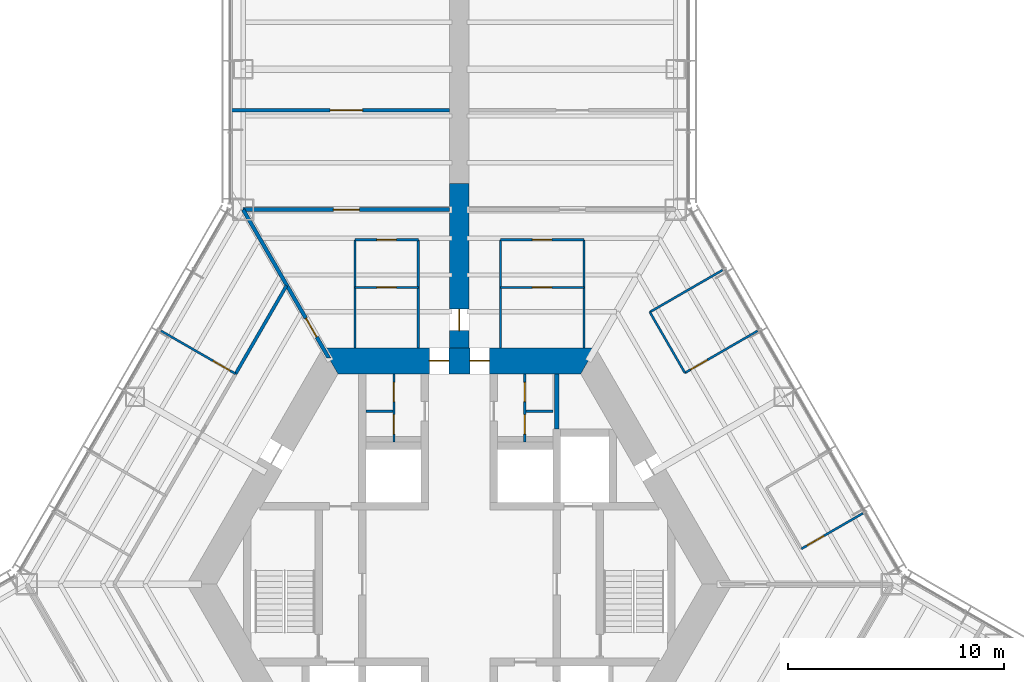
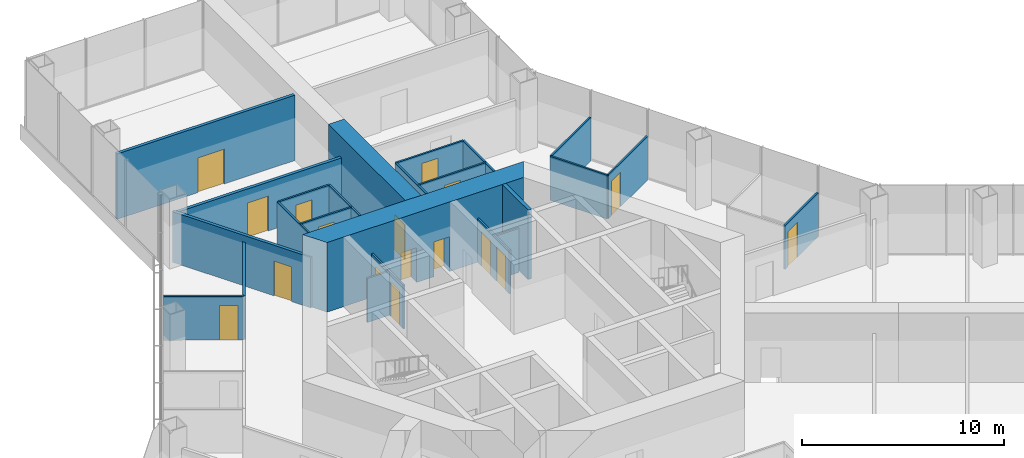
# One storey, part 13 of 17: 24 walls, 17 doors, 17 openings.
"""IFC4 building model written with IfcOpenShell, lengths in metres."""

from ifc_helpers import new_model, si_unit, direction, frame, frame_2d, origin, place, context, subcontext, project, spatial, polyline, rectangle, outline, extrude, material, layer, layer_set, type_object, element, fill, save


model = new_model("IFC4")

# Units and contexts
model_context = context("Model", 3, precision=1e-05, world=origin(), true_north=direction((0.0, 1.0)))
body_context = subcontext(model_context, "Body", "Model", "MODEL_VIEW")
ifc_project = project(units=[si_unit("LENGTHUNIT", "METRE"), si_unit("AREAUNIT", "SQUARE_METRE"), si_unit("VOLUMEUNIT", "CUBIC_METRE"), si_unit("PLANEANGLEUNIT", "RADIAN"), si_unit("MASSUNIT", "GRAM", prefix="KILO")], contexts=[model_context])

# Site, building, storey
site_placement = place(None, origin())
site = spatial("IfcSite", under=ifc_project, at=site_placement, CompositionType="ELEMENT")
building_placement = place(site_placement, origin())
building = spatial("IfcBuilding", under=site, at=building_placement, Name="Kasaneha Research Tower", CompositionType="ELEMENT")
storey_placement = place(building_placement, frame((0.0, 0.0, 47.800048828125)))
storey = spatial("IfcBuildingStorey", under=building, at=storey_placement, Name="L12", CompositionType="ELEMENT", Elevation=47.800048828125)

# Wall, openings, doors
ifc_material_1 = material(Name="Concrete Fc100", Category="concrete")
ifc_layer_1 = layer(ifc_material_1, 1.199951171875)
ifc_layer_set_1 = layer_set([ifc_layer_1], Name="Core wall 1200 Fc100")
wall_type_1 = type_object("IfcWallType", Name="Core wall 1200 Fc100", PredefinedType="SHEAR", material=ifc_layer_set_1)
wall_1_placement = place(storey_placement, frame((5.961181640625, 10.324951171875, 0.0), z_axis=(0.0, 0.0, 1.0), x_axis=(-1.0, 0.0, 0.0)))
wall_1 = element("IfcWall", 1, at=wall_1_placement, inside=storey, type_object=wall_type_1, Name="Core wall 090 L12", PredefinedType="SHEAR", context=body_context, shape_type="SweptSolid", body=[
    extrude(outline(polyline([(-0.346435546875, -0.60009765625), (4.57373046875, -0.60009765625), (5.4736328125, -0.60009765625), (6.44873046875, -0.60009765625), (7.3486328125, -0.60009765625), (12.268798828125, -0.60009765625), (11.575927734375, 0.60009765625), (7.3486328125, 0.60009765625), (6.44873046875, 0.60009765625), (5.4736328125, 0.60009765625), (4.57373046875, 0.60009765625), (0.346435546875, 0.60009765625), (-0.346435546875, -0.60009765625)])), origin(), (0.0, 0.0, 1.0), 4.199951171875),
])
opening_1_placement = place(wall_1_placement, frame((6.44873046875, 0.0, 0.0)))
opening_1 = element("IfcOpeningElement", 2, at=opening_1_placement, cuts=wall_1, Name="Opening L12-D01", PredefinedType="OPENING", context=body_context, shape_type="SweptSolid", body=[
    extrude(rectangle(XDim=0.89990234375, YDim=2.10009765625, at=frame_2d((0.449951171875, 1.050048828125))), frame((0.0, 0.60986328125, 0.0), z_axis=(0.0, -1.0, 0.0), x_axis=(1.0, 0.0, 0.0)), (0.0, 0.0, 1.0), 1.219970703125),
])
opening_2_placement = place(wall_1_placement, frame((4.57373046875, 0.0, 0.0)))
opening_2 = element("IfcOpeningElement", 3, at=opening_2_placement, cuts=wall_1, Name="Opening L12-D02", PredefinedType="OPENING", context=body_context, shape_type="SweptSolid", body=[
    extrude(rectangle(XDim=0.89990234375, YDim=2.10009765625, at=frame_2d((0.449951171875, 1.050048828125))), frame((0.0, 0.60986328125, 0.0), z_axis=(0.0, -1.0, 0.0), x_axis=(1.0, 0.0, 0.0)), (0.0, 0.0, 1.0), 1.219970703125),
])
ifc_material_2 = material(Name="Steel", Category="steel")
door_type_1 = type_object("IfcDoorType", Name="Toilet door FD20 900x2100", OperationType="NOTDEFINED", PredefinedType="DOOR", material=ifc_material_2)
door_1_placement = place(opening_1_placement, origin())
door_1 = element("IfcDoor", 4, at=door_1_placement, inside=storey, type_object=door_type_1, Name="Core door north 1 L12-D01", OperationType="SINGLE_SWING_RIGHT", OverallHeight=2.10009765625, OverallWidth=0.89990234375, PredefinedType="DOOR", context=body_context, shape_type="SweptSolid", body=[
    extrude(rectangle(XDim=0.89990234375, YDim=2.10009765625, at=frame_2d((0.449951171875, 1.050048828125))), frame((0.0, 0.02490234375, 0.0), z_axis=(0.0, -1.0, 0.0), x_axis=(1.0, 0.0, 0.0)), (0.0, 0.0, 1.0), 0.050048828125),
])
fill(opening_1, door_1)
door_2_placement = place(opening_2_placement, origin())
door_2 = element("IfcDoor", 5, at=door_2_placement, inside=storey, type_object=door_type_1, Name="Core door north 2 L12-D02", OperationType="SINGLE_SWING_LEFT", OverallHeight=2.10009765625, OverallWidth=0.89990234375, PredefinedType="DOOR", context=body_context, shape_type="SweptSolid", body=[
    extrude(rectangle(XDim=0.89990234375, YDim=2.10009765625, at=frame_2d((0.449951171875, 1.050048828125))), frame((0.0, 0.02490234375, 0.0), z_axis=(0.0, -1.0, 0.0), x_axis=(1.0, 0.0, 0.0)), (0.0, 0.0, 1.0), 0.050048828125),
])
fill(opening_2, door_2)

# Wall, opening, door
ifc_material_3 = material(Name="Gypsum board on steel studs, two layers each side", Category="steel")
ifc_layer_2 = layer(ifc_material_3, 0.175048828125)
ifc_layer_set_2 = layer_set([ifc_layer_2], Name="Laboratory fire partition 175")
wall_type_2 = type_object("IfcWallType", Name="Laboratory fire partition 175", PredefinedType="PARTITIONING", material=ifc_layer_set_2)
wall_2_placement = place(storey_placement, frame((-0.449951171875, 17.320556640625, 0.0), z_axis=(0.0, 0.0, 1.0), x_axis=(-1.0, 0.0, 0.0)))
wall_2 = element("IfcWall", 6, at=wall_2_placement, inside=storey, type_object=wall_type_2, Name="Laboratory fire partition LABA-W L12", PredefinedType="PARTITIONING", context=body_context, shape_type="SweptSolid", body=[
    extrude(rectangle(XDim=9.550048828125, YDim=0.175048828125, at=frame_2d((4.77490234375, 0.0))), origin(), (0.0, 0.0, 1.0), 2.949951171875),
])
opening_3_placement = place(wall_2_placement, frame((4.175048828125, 0.0, 0.0)))
opening_3 = element("IfcOpeningElement", 7, at=opening_3_placement, cuts=wall_2, Name="Opening L12-D36", PredefinedType="OPENING", context=body_context, shape_type="SweptSolid", body=[
    extrude(rectangle(XDim=1.199951171875, YDim=2.10009765625, at=frame_2d((0.60009765625, 1.050048828125))), frame((0.0, 0.09765625, 0.0), z_axis=(0.0, -1.0, 0.0), x_axis=(1.0, 0.0, 0.0)), (0.0, 0.0, 1.0), 0.195068359375),
])
ifc_material_4 = material(Name="Steel", Category="steel")
door_type_2 = type_object("IfcDoorType", Name="Laboratory door FD60 1200x2100", OperationType="DOUBLE_DOOR_SINGLE_SWING", PredefinedType="DOOR", material=ifc_material_4)
door_3_placement = place(opening_3_placement, origin())
door_3 = element("IfcDoor", 8, at=door_3_placement, inside=storey, type_object=door_type_2, Name="Laboratory door L12-D36", OperationType="DOUBLE_DOOR_SINGLE_SWING", OverallHeight=2.10009765625, OverallWidth=1.199951171875, PredefinedType="DOOR", context=body_context, shape_type="SweptSolid", body=[
    extrude(rectangle(XDim=1.199951171875, YDim=2.10009765625, at=frame_2d((0.60009765625, 1.050048828125))), frame((0.0, 0.02490234375, 0.0), z_axis=(0.0, -1.0, 0.0), x_axis=(1.0, 0.0, 0.0)), (0.0, 0.0, 1.0), 0.050048828125),
])
fill(opening_3, door_3)

wall_3_placement = place(storey_placement, frame((-0.449951171875, 21.92041015625, 0.0), z_axis=(0.0, 0.0, 1.0), x_axis=(-1.0, 0.0, 0.0)))
wall_3 = element("IfcWall", 9, at=wall_3_placement, inside=storey, type_object=wall_type_2, Name="Laboratory fire partition INSA-W L12", PredefinedType="PARTITIONING", context=body_context, shape_type="SweptSolid", body=[
    extrude(rectangle(XDim=10.14013671875, YDim=0.175048828125, at=frame_2d((5.070068359375, 0.0))), origin(), (0.0, 0.0, 1.0), 3.949951171875),
])
opening_4_placement = place(wall_3_placement, frame((4.02490234375, 0.0, 0.0)))
opening_4 = element("IfcOpeningElement", 10, at=opening_4_placement, cuts=wall_3, Name="Opening L12-D37", PredefinedType="OPENING", context=body_context, shape_type="SweptSolid", body=[
    extrude(rectangle(XDim=1.5, YDim=2.10009765625, at=frame_2d((0.75, 1.050048828125))), frame((0.0, 0.09765625, 0.0), z_axis=(0.0, -1.0, 0.0), x_axis=(1.0, 0.0, 0.0)), (0.0, 0.0, 1.0), 0.195068359375),
])
ifc_material_5 = material(Name="Steel", Category="steel")
door_type_3 = type_object("IfcDoorType", Name="Laboratory door FD60 1500x2100", OperationType="DOUBLE_DOOR_SINGLE_SWING", PredefinedType="DOOR", material=ifc_material_5)
door_4_placement = place(opening_4_placement, origin())
door_4 = element("IfcDoor", 11, at=door_4_placement, inside=storey, type_object=door_type_3, Name="Instrument room door L12-D37", OperationType="DOUBLE_DOOR_SINGLE_SWING", OverallHeight=2.10009765625, OverallWidth=1.5, PredefinedType="DOOR", context=body_context, shape_type="SweptSolid", body=[
    extrude(rectangle(XDim=1.5, YDim=2.10009765625, at=frame_2d((0.75, 1.050048828125))), frame((0.0, 0.02490234375, 0.0), z_axis=(0.0, -1.0, 0.0), x_axis=(1.0, 0.0, 0.0)), (0.0, 0.0, 1.0), 0.050048828125),
])
fill(opening_4, door_4)

# Wall, openings, doors
ifc_material_6 = material(Name="Gypsum board on steel studs, one layer each side", Category="steel")
ifc_layer_3 = layer(ifc_material_6, 0.10009765625)
ifc_layer_set_3 = layer_set([ifc_layer_3], Name="Office partition 100")
wall_type_3 = type_object("IfcWallType", Name="Office partition 100", PredefinedType="PARTITIONING", material=ifc_layer_set_3)
wall_4_placement = place(storey_placement, frame((-3.02490234375, 6.574951171875, 0.0), z_axis=(0.0, 0.0, 1.0), x_axis=(0.0, 1.0, 0.0)))
wall_4 = element("IfcWall", 12, at=wall_4_placement, inside=storey, type_object=wall_type_3, Name="Office partition TBM1 L12", PredefinedType="PARTITIONING", context=body_context, shape_type="SweptSolid", body=[
    extrude(rectangle(XDim=3.150146484375, YDim=0.10009765625, at=frame_2d((1.5751953125, 0.0))), origin(), (0.0, 0.0, 1.0), 2.64990234375),
])
opening_5_placement = place(wall_4_placement, frame((1.862548828125, 0.0, 0.0)))
opening_5 = element("IfcOpeningElement", 13, at=opening_5_placement, cuts=wall_4, Name="Opening L12-D20", PredefinedType="OPENING", context=body_context, shape_type="SweptSolid", body=[
    extrude(rectangle(XDim=0.89990234375, YDim=2.10009765625, at=frame_2d((0.449951171875, 1.050048828125))), frame((0.0, 0.06005859375, 0.0), z_axis=(0.0, -1.0, 0.0), x_axis=(1.0, 0.0, 0.0)), (0.0, 0.0, 1.0), 0.1201171875),
])
opening_6_placement = place(wall_4_placement, frame((0.362548828125, 0.0, 0.0)))
opening_6 = element("IfcOpeningElement", 14, at=opening_6_placement, cuts=wall_4, Name="Opening L12-D21", PredefinedType="OPENING", context=body_context, shape_type="SweptSolid", body=[
    extrude(rectangle(XDim=0.89990234375, YDim=2.10009765625, at=frame_2d((0.449951171875, 1.050048828125))), frame((0.0, 0.06005859375, 0.0), z_axis=(0.0, -1.0, 0.0), x_axis=(1.0, 0.0, 0.0)), (0.0, 0.0, 1.0), 0.1201171875),
])
ifc_material_7 = material(Name="Steel", Category="steel")
door_type_4 = type_object("IfcDoorType", Name="Toilet lobby door FD30 900x2100", OperationType="NOTDEFINED", PredefinedType="DOOR", material=ifc_material_7)
door_5_placement = place(opening_5_placement, origin())
door_5 = element("IfcDoor", 15, at=door_5_placement, inside=storey, type_object=door_type_4, Name="Men's WC door L12-D20", OperationType="SINGLE_SWING_RIGHT", OverallHeight=2.10009765625, OverallWidth=0.89990234375, PredefinedType="DOOR", context=body_context, shape_type="SweptSolid", body=[
    extrude(rectangle(XDim=0.89990234375, YDim=2.10009765625, at=frame_2d((0.449951171875, 1.050048828125))), frame((0.0, 0.02490234375, 0.0), z_axis=(0.0, -1.0, 0.0), x_axis=(1.0, 0.0, 0.0)), (0.0, 0.0, 1.0), 0.050048828125),
])
fill(opening_5, door_5)
door_6_placement = place(opening_6_placement, origin())
door_6 = element("IfcDoor", 16, at=door_6_placement, inside=storey, type_object=door_type_4, Name="Staff WC door L12-D21", OperationType="SINGLE_SWING_RIGHT", OverallHeight=2.10009765625, OverallWidth=0.89990234375, PredefinedType="DOOR", context=body_context, shape_type="SweptSolid", body=[
    extrude(rectangle(XDim=0.89990234375, YDim=2.10009765625, at=frame_2d((0.449951171875, 1.050048828125))), frame((0.0, 0.02490234375, 0.0), z_axis=(0.0, -1.0, 0.0), x_axis=(1.0, 0.0, 0.0)), (0.0, 0.0, 1.0), 0.050048828125),
])
fill(opening_6, door_6)

# Wall
wall_5_placement = place(storey_placement, frame((-3.074951171875, 8.0, 0.0), z_axis=(0.0, 0.0, 1.0), x_axis=(-1.0, 0.0, 0.0)))
element("IfcWall", 17, at=wall_5_placement, inside=storey, type_object=wall_type_3, Name="Office partition TBM2 L12", PredefinedType="PARTITIONING", context=body_context, shape_type="SweptSolid", body=[
    extrude(rectangle(XDim=1.25, YDim=0.10009765625, at=frame_2d((0.625, 0.0))), origin(), (0.0, 0.0, 1.0), 2.64990234375),
])

# Wall, openings, doors
wall_6_placement = place(storey_placement, frame((3.02490234375, 6.574951171875, 0.0), z_axis=(0.0, 0.0, 1.0), x_axis=(0.0, 1.0, 0.0)))
wall_6 = element("IfcWall", 18, at=wall_6_placement, inside=storey, type_object=wall_type_3, Name="Office partition TBF1 L12", PredefinedType="PARTITIONING", context=body_context, shape_type="SweptSolid", body=[
    extrude(rectangle(XDim=3.150146484375, YDim=0.10009765625, at=frame_2d((1.5751953125, 0.0))), origin(), (0.0, 0.0, 1.0), 2.64990234375),
])
opening_7_placement = place(wall_6_placement, frame((1.862548828125, 0.0, 0.0)))
opening_7 = element("IfcOpeningElement", 19, at=opening_7_placement, cuts=wall_6, Name="Opening L12-D22", PredefinedType="OPENING", context=body_context, shape_type="SweptSolid", body=[
    extrude(rectangle(XDim=0.89990234375, YDim=2.10009765625, at=frame_2d((0.449951171875, 1.050048828125))), frame((0.0, 0.06005859375, 0.0), z_axis=(0.0, -1.0, 0.0), x_axis=(1.0, 0.0, 0.0)), (0.0, 0.0, 1.0), 0.1201171875),
])
opening_8_placement = place(wall_6_placement, frame((0.362548828125, 0.0, 0.0)))
opening_8 = element("IfcOpeningElement", 20, at=opening_8_placement, cuts=wall_6, Name="Opening L12-D23", PredefinedType="OPENING", context=body_context, shape_type="SweptSolid", body=[
    extrude(rectangle(XDim=0.89990234375, YDim=2.10009765625, at=frame_2d((0.449951171875, 1.050048828125))), frame((0.0, 0.06005859375, 0.0), z_axis=(0.0, -1.0, 0.0), x_axis=(1.0, 0.0, 0.0)), (0.0, 0.0, 1.0), 0.1201171875),
])
door_7_placement = place(opening_7_placement, origin())
door_7 = element("IfcDoor", 21, at=door_7_placement, inside=storey, type_object=door_type_4, Name="Women's WC door L12-D22", OperationType="SINGLE_SWING_RIGHT", OverallHeight=2.10009765625, OverallWidth=0.89990234375, PredefinedType="DOOR", context=body_context, shape_type="SweptSolid", body=[
    extrude(rectangle(XDim=0.89990234375, YDim=2.10009765625, at=frame_2d((0.449951171875, 1.050048828125))), frame((0.0, 0.02490234375, 0.0), z_axis=(0.0, -1.0, 0.0), x_axis=(1.0, 0.0, 0.0)), (0.0, 0.0, 1.0), 0.050048828125),
])
fill(opening_7, door_7)
door_8_placement = place(opening_8_placement, origin())
door_8 = element("IfcDoor", 22, at=door_8_placement, inside=storey, type_object=door_type_4, Name="Cleaner's store door L12-D23", OperationType="SINGLE_SWING_RIGHT", OverallHeight=2.10009765625, OverallWidth=0.89990234375, PredefinedType="DOOR", context=body_context, shape_type="SweptSolid", body=[
    extrude(rectangle(XDim=0.89990234375, YDim=2.10009765625, at=frame_2d((0.449951171875, 1.050048828125))), frame((0.0, 0.02490234375, 0.0), z_axis=(0.0, -1.0, 0.0), x_axis=(1.0, 0.0, 0.0)), (0.0, 0.0, 1.0), 0.050048828125),
])
fill(opening_8, door_8)

# Wall
wall_7_placement = place(storey_placement, frame((3.074951171875, 8.0, 0.0), z_axis=(0.0, 0.0, 1.0), x_axis=(1.0, 0.0, 0.0)))
element("IfcWall", 23, at=wall_7_placement, inside=storey, type_object=wall_type_3, Name="Office partition TBF2 L12", PredefinedType="PARTITIONING", context=body_context, shape_type="SweptSolid", body=[
    extrude(rectangle(XDim=1.25, YDim=0.10009765625, at=frame_2d((0.625, 0.0))), origin(), (0.0, 0.0, 1.0), 2.64990234375),
])

# Wall, opening, door
wall_8_placement = place(storey_placement, frame((1.89990234375, 13.72509765625, 0.0), z_axis=(0.0, 0.0, 1.0), x_axis=(1.0, 0.0, 0.0)))
wall_8 = element("IfcWall", 24, at=wall_8_placement, inside=storey, type_object=wall_type_3, Name="Office partition WCAE1 L12", PredefinedType="PARTITIONING", context=body_context, shape_type="SweptSolid", body=[
    extrude(rectangle(XDim=3.857177734375, YDim=0.10009765625, at=frame_2d((1.9287109375, 0.0))), origin(), (0.0, 0.0, 1.0), 2.64990234375),
])
opening_9_placement = place(wall_8_placement, frame((1.478515625, 0.0, 0.0)))
opening_9 = element("IfcOpeningElement", 25, at=opening_9_placement, cuts=wall_8, Name="Opening L12-D28", PredefinedType="OPENING", context=body_context, shape_type="SweptSolid", body=[
    extrude(rectangle(XDim=0.89990234375, YDim=2.10009765625, at=frame_2d((0.449951171875, 1.050048828125))), frame((0.0, 0.06005859375, 0.0), z_axis=(0.0, -1.0, 0.0), x_axis=(1.0, 0.0, 0.0)), (0.0, 0.0, 1.0), 0.1201171875),
])
door_9_placement = place(opening_9_placement, origin())
door_9 = element("IfcDoor", 26, at=door_9_placement, inside=storey, type_object=door_type_4, Name="Women's WC door L12-D28", OperationType="SINGLE_SWING_RIGHT", OverallHeight=2.10009765625, OverallWidth=0.89990234375, PredefinedType="DOOR", context=body_context, shape_type="SweptSolid", body=[
    extrude(rectangle(XDim=0.89990234375, YDim=2.10009765625, at=frame_2d((0.449951171875, 1.050048828125))), frame((0.0, 0.02490234375, 0.0), z_axis=(0.0, -1.0, 0.0), x_axis=(1.0, 0.0, 0.0)), (0.0, 0.0, 1.0), 0.050048828125),
])
fill(opening_9, door_9)

wall_9_placement = place(storey_placement, frame((1.89990234375, 15.925048828125, 0.0), z_axis=(0.0, 0.0, 1.0), x_axis=(1.0, 0.0, 0.0)))
wall_9 = element("IfcWall", 27, at=wall_9_placement, inside=storey, type_object=wall_type_3, Name="Office partition WCAE4 L12", PredefinedType="PARTITIONING", context=body_context, shape_type="SweptSolid", body=[
    extrude(rectangle(XDim=3.857177734375, YDim=0.10009765625, at=frame_2d((1.9287109375, 0.0))), origin(), (0.0, 0.0, 1.0), 2.64990234375),
])
opening_10_placement = place(wall_9_placement, frame((1.478515625, 0.0, 0.0)))
opening_10 = element("IfcOpeningElement", 28, at=opening_10_placement, cuts=wall_9, Name="Opening L12-D29", PredefinedType="OPENING", context=body_context, shape_type="SweptSolid", body=[
    extrude(rectangle(XDim=0.89990234375, YDim=2.10009765625, at=frame_2d((0.449951171875, 1.050048828125))), frame((0.0, 0.06005859375, 0.0), z_axis=(0.0, -1.0, 0.0), x_axis=(1.0, 0.0, 0.0)), (0.0, 0.0, 1.0), 0.1201171875),
])
door_10_placement = place(opening_10_placement, origin())
door_10 = element("IfcDoor", 29, at=door_10_placement, inside=storey, type_object=door_type_4, Name="Toilet lobby door L12-D29", OperationType="SINGLE_SWING_RIGHT", OverallHeight=2.10009765625, OverallWidth=0.89990234375, PredefinedType="DOOR", context=body_context, shape_type="SweptSolid", body=[
    extrude(rectangle(XDim=0.89990234375, YDim=2.10009765625, at=frame_2d((0.449951171875, 1.050048828125))), frame((0.0, 0.02490234375, 0.0), z_axis=(0.0, -1.0, 0.0), x_axis=(1.0, 0.0, 0.0)), (0.0, 0.0, 1.0), 0.050048828125),
])
fill(opening_10, door_10)

# Walls
for number, where, z_axis, x_axis, name in (
    (30, (1.89990234375, 10.925048828125, 0.0), (0.0, 0.0, 1.0), (0.0, 1.0, 0.0), "Office partition WCAE2 L12"),
    (31, (5.757080078125, 10.925048828125, 0.0), (0.0, 0.0, 1.0), (0.0, 1.0, 0.0), "Office partition WCAE3 L12"),
):
    element("IfcWall", number, at=place(storey_placement, frame(where, z_axis=z_axis, x_axis=x_axis)), inside=storey, type_object=wall_type_3, Name=name, PredefinedType="PARTITIONING", context=body_context, shape_type="SweptSolid", body=[
        extrude(rectangle(XDim=5.0, YDim=0.10009765625, at=frame_2d((2.5, 0.0))), origin(), (0.0, 0.0, 1.0), 2.64990234375),
    ])
wall_10_placement = place(storey_placement, frame((8.80908203125, 12.583251953125, 0.0), z_axis=(0.0, 0.0, 1.0), x_axis=(0.866027358884, 0.499996613652, 0.0)))
element("IfcWall", 32, at=wall_10_placement, inside=storey, type_object=wall_type_3, Name="Office partition FAE01 L12", PredefinedType="PARTITIONING", context=body_context, shape_type="SweptSolid", body=[
    extrude(rectangle(XDim=3.8798828125, YDim=0.10009765625, at=frame_2d((1.93994140625, 0.0))), origin(), (0.0, 0.0, 1.0), 2.64990234375),
])
wall_11_placement = place(storey_placement, frame((10.432373046875, 9.771728515625, 0.0), z_axis=(0.0, 0.0, 1.0), x_axis=(-0.500013214685, 0.866017774148, 0.0)))
element("IfcWall", 33, at=wall_11_placement, inside=storey, type_object=wall_type_3, Name="Office partition FAE02 L12", PredefinedType="PARTITIONING", context=body_context, shape_type="SweptSolid", body=[
    extrude(rectangle(XDim=3.24658203125, YDim=0.10009765625, at=frame_2d((1.623291015625, 0.0))), origin(), (0.0, 0.0, 1.0), 2.64990234375),
])

# Wall, opening, door
wall_12_placement = place(storey_placement, frame((13.79248046875, 11.711669921875, 0.0), z_axis=(0.0, 0.0, 1.0), x_axis=(-0.866027358884, -0.499996613652, 0.0)))
wall_12 = element("IfcWall", 34, at=wall_12_placement, inside=storey, type_object=wall_type_3, Name="Office partition FAE03 L12", PredefinedType="PARTITIONING", context=body_context, shape_type="SweptSolid", body=[
    extrude(rectangle(XDim=3.8798828125, YDim=0.10009765625, at=frame_2d((1.93994140625, 0.0))), origin(), (0.0, 0.0, 1.0), 2.64990234375),
])
opening_11_placement = place(wall_12_placement, frame((2.679931640625, 0.0, 0.0)))
opening_11 = element("IfcOpeningElement", 35, at=opening_11_placement, cuts=wall_12, Name="Opening L12-D31", PredefinedType="OPENING", context=body_context, shape_type="SweptSolid", body=[
    extrude(rectangle(XDim=0.89990234375, YDim=2.10009765625, at=frame_2d((0.449951171875, 1.050048828125))), frame((0.0, 0.06005859375, 0.0), z_axis=(0.0, -1.0, 0.0), x_axis=(1.0, 0.0, 0.0)), (0.0, 0.0, 1.0), 0.1201171875),
])
ifc_material_8 = material(Name="Timber veneer", Category="wood")
door_type_5 = type_object("IfcDoorType", Name="Office door 900x2100", OperationType="SINGLE_SWING_LEFT", PredefinedType="DOOR", material=ifc_material_8)
door_11_placement = place(opening_11_placement, origin())
door_11 = element("IfcDoor", 36, at=door_11_placement, inside=storey, type_object=door_type_5, Name="Microscopy room door L12-D31", OperationType="SINGLE_SWING_RIGHT", OverallHeight=2.10009765625, OverallWidth=0.89990234375, PredefinedType="DOOR", context=body_context, shape_type="SweptSolid", body=[
    extrude(rectangle(XDim=0.89990234375, YDim=2.10009765625, at=frame_2d((0.449951171875, 1.050048828125))), frame((0.0, 0.02490234375, 0.0), z_axis=(0.0, -1.0, 0.0), x_axis=(1.0, 0.0, 0.0)), (0.0, 0.0, 1.0), 0.050048828125),
])
fill(opening_11, door_11)

wall_13_placement = place(storey_placement, frame((18.662109375, 3.27734375, 0.0), z_axis=(0.0, 0.0, 1.0), x_axis=(-0.866008333849, -0.50002956483, 0.0)))
wall_13 = element("IfcWall", 37, at=wall_13_placement, inside=storey, type_object=wall_type_3, Name="Office partition FAE06 L12", PredefinedType="PARTITIONING", context=body_context, shape_type="SweptSolid", body=[
    extrude(rectangle(XDim=3.280029296875, YDim=0.10009765625, at=frame_2d((1.64013671875, 0.0))), origin(), (0.0, 0.0, 1.0), 2.64990234375),
])
opening_12_placement = place(wall_13_placement, frame((2.080078125, 0.0, 0.0)))
opening_12 = element("IfcOpeningElement", 38, at=opening_12_placement, cuts=wall_13, Name="Opening L12-D32", PredefinedType="OPENING", context=body_context, shape_type="SweptSolid", body=[
    extrude(rectangle(XDim=0.89990234375, YDim=2.10009765625, at=frame_2d((0.449951171875, 1.050048828125))), frame((0.0, 0.06005859375, 0.0), z_axis=(0.0, -1.0, 0.0), x_axis=(1.0, 0.0, 0.0)), (0.0, 0.0, 1.0), 0.1201171875),
])
door_12_placement = place(opening_12_placement, origin())
door_12 = element("IfcDoor", 39, at=door_12_placement, inside=storey, type_object=door_type_5, Name="Principal investigator office door L12-D32", OperationType="SINGLE_SWING_RIGHT", OverallHeight=2.10009765625, OverallWidth=0.89990234375, PredefinedType="DOOR", context=body_context, shape_type="SweptSolid", body=[
    extrude(rectangle(XDim=0.89990234375, YDim=2.10009765625, at=frame_2d((0.449951171875, 1.050048828125))), frame((0.0, 0.02490234375, 0.0), z_axis=(0.0, -1.0, 0.0), x_axis=(1.0, 0.0, 0.0)), (0.0, 0.0, 1.0), 0.050048828125),
])
fill(opening_12, door_12)

wall_14_placement = place(storey_placement, frame((-4.82861328125, 13.72509765625, 0.0), z_axis=(0.0, 0.0, 1.0), x_axis=(1.0, 0.0, 0.0)))
wall_14 = element("IfcWall", 40, at=wall_14_placement, inside=storey, type_object=wall_type_3, Name="Office partition WCAW1 L12", PredefinedType="PARTITIONING", context=body_context, shape_type="SweptSolid", body=[
    extrude(rectangle(XDim=2.9287109375, YDim=0.10009765625, at=frame_2d((1.46435546875, 0.0))), origin(), (0.0, 0.0, 1.0), 2.64990234375),
])
opening_13_placement = place(wall_14_placement, frame((1.01416015625, 0.0, 0.0)))
opening_13 = element("IfcOpeningElement", 41, at=opening_13_placement, cuts=wall_14, Name="Opening L12-D34", PredefinedType="OPENING", context=body_context, shape_type="SweptSolid", body=[
    extrude(rectangle(XDim=0.89990234375, YDim=2.10009765625, at=frame_2d((0.449951171875, 1.050048828125))), frame((0.0, 0.06005859375, 0.0), z_axis=(0.0, -1.0, 0.0), x_axis=(1.0, 0.0, 0.0)), (0.0, 0.0, 1.0), 0.1201171875),
])
door_13_placement = place(opening_13_placement, origin())
door_13 = element("IfcDoor", 42, at=door_13_placement, inside=storey, type_object=door_type_4, Name="Men's WC door L12-D34", OperationType="SINGLE_SWING_LEFT", OverallHeight=2.10009765625, OverallWidth=0.89990234375, PredefinedType="DOOR", context=body_context, shape_type="SweptSolid", body=[
    extrude(rectangle(XDim=0.89990234375, YDim=2.10009765625, at=frame_2d((0.449951171875, 1.050048828125))), frame((0.0, 0.02490234375, 0.0), z_axis=(0.0, -1.0, 0.0), x_axis=(1.0, 0.0, 0.0)), (0.0, 0.0, 1.0), 0.050048828125),
])
fill(opening_13, door_13)

wall_15_placement = place(storey_placement, frame((-4.82861328125, 15.925048828125, 0.0), z_axis=(0.0, 0.0, 1.0), x_axis=(1.0, 0.0, 0.0)))
wall_15 = element("IfcWall", 43, at=wall_15_placement, inside=storey, type_object=wall_type_3, Name="Office partition WCAW4 L12", PredefinedType="PARTITIONING", context=body_context, shape_type="SweptSolid", body=[
    extrude(rectangle(XDim=2.9287109375, YDim=0.10009765625, at=frame_2d((1.46435546875, 0.0))), origin(), (0.0, 0.0, 1.0), 2.64990234375),
])
opening_14_placement = place(wall_15_placement, frame((1.01416015625, 0.0, 0.0)))
opening_14 = element("IfcOpeningElement", 44, at=opening_14_placement, cuts=wall_15, Name="Opening L12-D35", PredefinedType="OPENING", context=body_context, shape_type="SweptSolid", body=[
    extrude(rectangle(XDim=0.89990234375, YDim=2.10009765625, at=frame_2d((0.449951171875, 1.050048828125))), frame((0.0, 0.06005859375, 0.0), z_axis=(0.0, -1.0, 0.0), x_axis=(1.0, 0.0, 0.0)), (0.0, 0.0, 1.0), 0.1201171875),
])
door_14_placement = place(opening_14_placement, origin())
door_14 = element("IfcDoor", 45, at=door_14_placement, inside=storey, type_object=door_type_4, Name="Toilet lobby door L12-D35", OperationType="SINGLE_SWING_LEFT", OverallHeight=2.10009765625, OverallWidth=0.89990234375, PredefinedType="DOOR", context=body_context, shape_type="SweptSolid", body=[
    extrude(rectangle(XDim=0.89990234375, YDim=2.10009765625, at=frame_2d((0.449951171875, 1.050048828125))), frame((0.0, 0.02490234375, 0.0), z_axis=(0.0, -1.0, 0.0), x_axis=(1.0, 0.0, 0.0)), (0.0, 0.0, 1.0), 0.050048828125),
])
fill(opening_14, door_14)

# Walls
for number, where, z_axis, x_axis, name in (
    (46, (-1.89990234375, 10.925048828125, 0.0), (0.0, 0.0, 1.0), (0.0, 1.0, 0.0), "Office partition WCAW2 L12"),
    (47, (-4.82861328125, 10.925048828125, 0.0), (0.0, 0.0, 1.0), (0.0, 1.0, 0.0), "Office partition WCAW3 L12"),
):
    element("IfcWall", number, at=place(storey_placement, frame(where, z_axis=z_axis, x_axis=x_axis)), inside=storey, type_object=wall_type_3, Name=name, PredefinedType="PARTITIONING", context=body_context, shape_type="SweptSolid", body=[
        extrude(rectangle(XDim=5.0, YDim=0.10009765625, at=frame_2d((2.5, 0.0))), origin(), (0.0, 0.0, 1.0), 2.64990234375),
    ])

# Wall, opening, door
wall_16_placement = place(storey_placement, frame((-10.347412109375, 9.727783203125, 0.0), z_axis=(0.0, 0.0, 1.0), x_axis=(-0.866583023507, 0.499032928142, 0.0)))
wall_16 = element("IfcWall", 48, at=wall_16_placement, inside=storey, type_object=wall_type_3, Name="Office partition FBN06 L12", PredefinedType="PARTITIONING", context=body_context, shape_type="SweptSolid", body=[
    extrude(rectangle(XDim=3.975341796875, YDim=0.10009765625, at=frame_2d((1.98779296875, 0.0))), origin(), (0.0, 0.0, 1.0), 2.64990234375),
])
opening_15_placement = place(wall_16_placement, frame((0.300048828125, 0.0, 0.0)))
opening_15 = element("IfcOpeningElement", 49, at=opening_15_placement, cuts=wall_16, Name="Opening L12-D41", PredefinedType="OPENING", context=body_context, shape_type="SweptSolid", body=[
    extrude(rectangle(XDim=0.89990234375, YDim=2.10009765625, at=frame_2d((0.449951171875, 1.050048828125))), frame((0.0, 0.06005859375, 0.0), z_axis=(0.0, -1.0, 0.0), x_axis=(1.0, 0.0, 0.0)), (0.0, 0.0, 1.0), 0.1201171875),
])
door_15_placement = place(opening_15_placement, origin())
door_15 = element("IfcDoor", 50, at=door_15_placement, inside=storey, type_object=door_type_5, Name="Principal investigator office door L12-D41", OperationType="SINGLE_SWING_LEFT", OverallHeight=2.10009765625, OverallWidth=0.89990234375, PredefinedType="DOOR", context=body_context, shape_type="SweptSolid", body=[
    extrude(rectangle(XDim=0.89990234375, YDim=2.10009765625, at=frame_2d((0.449951171875, 1.050048828125))), frame((0.0, 0.02490234375, 0.0), z_axis=(0.0, -1.0, 0.0), x_axis=(1.0, 0.0, 0.0)), (0.0, 0.0, 1.0), 0.050048828125),
])
fill(opening_15, door_15)

# Wall
ifc_material_9 = material(Name="Concrete block", Category="concrete")
ifc_layer_4 = layer(ifc_material_9, 0.199951171875)
ifc_layer_set_4 = layer_set([ifc_layer_4], Name="Riser enclosure wall 200")
wall_type_4 = type_object("IfcWallType", Name="Riser enclosure wall 200", PredefinedType="STANDARD", material=ifc_layer_set_4)
wall_17_placement = place(storey_placement, frame((4.5, 7.175048828125, 0.0), z_axis=(0.0, 0.0, 1.0), x_axis=(0.0, 1.0, 0.0)))
element("IfcWall", 51, at=wall_17_placement, inside=storey, type_object=wall_type_4, Name="Riser enclosure wall L12", PredefinedType="STANDARD", context=body_context, shape_type="SweptSolid", body=[
    extrude(rectangle(XDim=2.550048828125, YDim=0.199951171875, at=frame_2d((1.27490234375, 0.0))), origin(), (0.0, 0.0, 1.0), 4.199951171875),
])

# Wall, opening, door
ifc_material_10 = material(Name="Concrete Fc100", Category="concrete")
ifc_layer_5 = layer(ifc_material_10, 0.89990234375)
ifc_layer_set_5 = layer_set([ifc_layer_5], Name="Spine wall 900 Fc100")
wall_type_5 = type_object("IfcWallType", Name="Spine wall 900 Fc100", PredefinedType="SHEAR", material=ifc_layer_set_5)
wall_18_placement = place(storey_placement, frame((0.0, 10.925048828125, 0.0), z_axis=(0.0, 0.0, 1.0), x_axis=(0.0, 1.0, 0.0)))
wall_18 = element("IfcWall", 52, at=wall_18_placement, inside=storey, type_object=wall_type_5, Name="Spine wall A L12", PredefinedType="SHEAR", context=body_context, shape_type="SweptSolid", body=[
    extrude(rectangle(XDim=7.595458984375, YDim=0.89990234375, at=frame_2d((3.7978515625, 0.0))), origin(), (0.0, 0.0, 1.0), 4.199951171875),
])
opening_16_placement = place(wall_18_placement, frame((0.800048828125, 0.0, 0.0)))
opening_16 = element("IfcOpeningElement", 53, at=opening_16_placement, cuts=wall_18, Name="Opening L12-D17", PredefinedType="OPENING", context=body_context, shape_type="SweptSolid", body=[
    extrude(rectangle(XDim=1.0, YDim=2.10009765625, at=frame_2d((0.5, 1.050048828125))), frame((0.0, 0.4599609375, 0.0), z_axis=(0.0, -1.0, 0.0), x_axis=(1.0, 0.0, 0.0)), (0.0, 0.0, 1.0), 0.919921875),
])
ifc_material_11 = material(Name="Steel", Category="steel")
door_type_6 = type_object("IfcDoorType", Name="Specified fire door FD60 1000x2100", OperationType="NOTDEFINED", PredefinedType="DOOR", material=ifc_material_11)
door_16_placement = place(opening_16_placement, origin())
door_16 = element("IfcDoor", 54, at=door_16_placement, inside=storey, type_object=door_type_6, Name="Spine doorway A L12-D17", OperationType="SINGLE_SWING_LEFT", OverallHeight=2.10009765625, OverallWidth=1.0, PredefinedType="DOOR", context=body_context, shape_type="SweptSolid", body=[
    extrude(rectangle(XDim=1.0, YDim=2.10009765625, at=frame_2d((0.5, 1.050048828125))), frame((0.0, 0.02490234375, 0.0), z_axis=(0.0, -1.0, 0.0), x_axis=(1.0, 0.0, 0.0)), (0.0, 0.0, 1.0), 0.050048828125),
])
fill(opening_16, door_16)

# Wall
ifc_material_12 = material(Name="Gypsum board on steel studs, two layers each side", Category="steel")
ifc_layer_6 = layer(ifc_material_12, 0.14990234375)
ifc_layer_set_6 = layer_set([ifc_layer_6], Name="Suite partition 150")
wall_type_6 = type_object("IfcWallType", Name="Suite partition 150", PredefinedType="PARTITIONING", material=ifc_layer_set_6)
wall_19_placement = place(storey_placement, frame((-10.35205078125, 9.719482421875, 0.0), z_axis=(0.0, 0.0, 1.0), x_axis=(0.499985273446, 0.866033905998, 0.0)))
element("IfcWall", 55, at=wall_19_placement, inside=storey, type_object=wall_type_6, Name="Suite partition FBN01 L12", PredefinedType="PARTITIONING", context=body_context, shape_type="SweptSolid", body=[
    extrude(rectangle(XDim=4.717529296875, YDim=0.14990234375, at=frame_2d((2.35888671875, 0.0))), origin(), (0.0, 0.0, 1.0), 2.64990234375),
])

# Wall, opening, door
ifc_material_13 = material(Name="Gypsum board on steel studs, two layers each side", Category="steel")
ifc_layer_7 = layer(ifc_material_13, 0.175048828125)
ifc_layer_set_7 = layer_set([ifc_layer_7], Name="Tenancy fire partition 175")
wall_type_7 = type_object("IfcWallType", Name="Tenancy fire partition 175", PredefinedType="PARTITIONING", material=ifc_layer_set_7)
wall_20_placement = place(storey_placement, frame((-6.03515625, 10.453125, 0.0), z_axis=(0.0, 0.0, 1.0), x_axis=(-0.499993402427, 0.866029212861, 0.0)))
wall_20 = element("IfcWall", 56, at=wall_20_placement, inside=storey, type_object=wall_type_7, Name="Tenancy fire partition T120 L12", PredefinedType="PARTITIONING", context=body_context, shape_type="SweptSolid", body=[
    extrude(outline(polyline([(-0.050537109375, -0.08740234375), (1.12939453125, -0.08740234375), (2.12939453125, -0.08740234375), (7.9296875, -0.08740234375), (7.9296875, 0.08740234375), (2.12939453125, 0.08740234375), (1.12939453125, 0.08740234375), (0.050537109375, 0.08740234375), (-0.050537109375, -0.08740234375)])), origin(), (0.0, 0.0, 1.0), 3.050048828125),
])
opening_17_placement = place(wall_20_placement, frame((1.12939453125, 0.0, 0.0)))
opening_17 = element("IfcOpeningElement", 57, at=opening_17_placement, cuts=wall_20, Name="Opening L12-D26", PredefinedType="OPENING", context=body_context, shape_type="SweptSolid", body=[
    extrude(rectangle(XDim=1.0, YDim=2.10009765625, at=frame_2d((0.5, 1.050048828125))), frame((0.0, 0.09765625, 0.0), z_axis=(0.0, -1.0, 0.0), x_axis=(1.0, 0.0, 0.0)), (0.0, 0.0, 1.0), 0.195068359375),
])
ifc_material_14 = material(Name="Steel", Category="steel")
door_type_7 = type_object("IfcDoorType", Name="Suite entrance door FD60 1000x2100", OperationType="NOTDEFINED", PredefinedType="DOOR", material=ifc_material_14)
door_17_placement = place(opening_17_placement, origin())
door_17 = element("IfcDoor", 58, at=door_17_placement, inside=storey, type_object=door_type_7, Name="Connecting door L12-D26", OperationType="SINGLE_SWING_LEFT", OverallHeight=2.10009765625, OverallWidth=1.0, PredefinedType="DOOR", context=body_context, shape_type="SweptSolid", body=[
    extrude(rectangle(XDim=1.0, YDim=2.10009765625, at=frame_2d((0.5, 1.050048828125))), frame((0.0, 0.02490234375, 0.0), z_axis=(0.0, -1.0, 0.0), x_axis=(1.0, 0.0, 0.0)), (0.0, 0.0, 1.0), 0.050048828125),
])
fill(opening_17, door_17)

save(model, "model.ifc")
